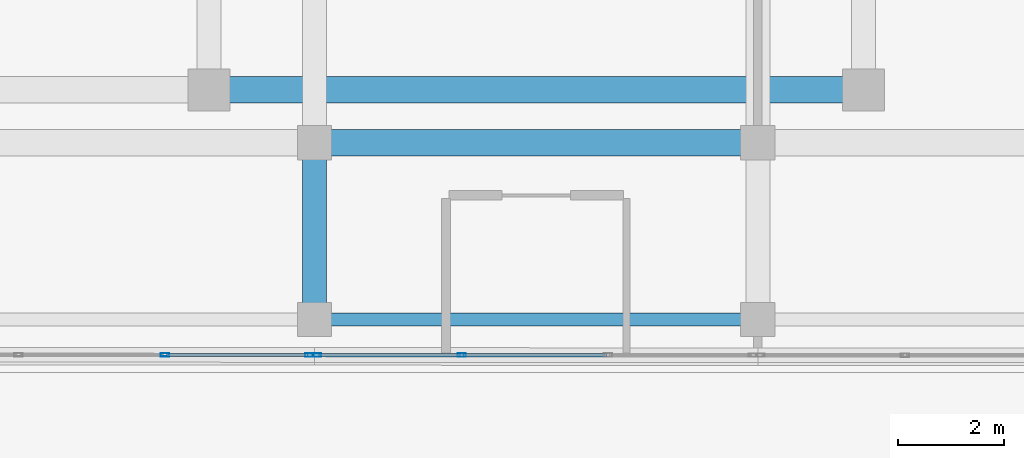
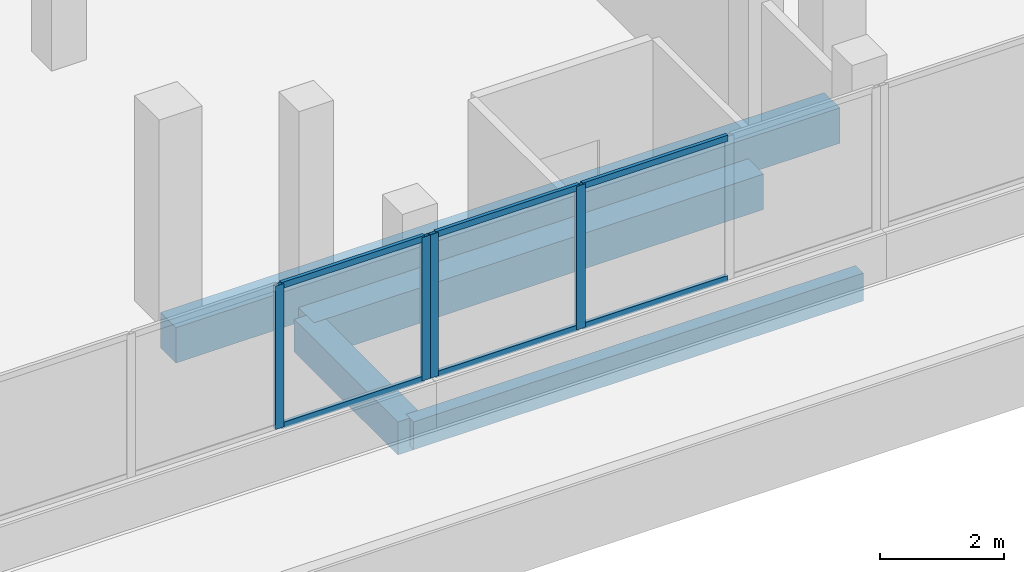
# One storey, part 11 of 78: 10 members, 4 beams, 2 elements without a shape of their own.
"""IFC4 building model written with IfcOpenShell, lengths in metres."""

from ifc_helpers import new_model, si_unit, direction, frame, origin, origin_2d, place, context, subcontext, project, spatial, rectangle, hollow_rectangle, extrude, material, material_profile, profile_set, type_object, element, aggregate, save


model = new_model("IFC4")

# Units and contexts
model_context = context("Model", 3, precision=1e-05, world=origin(), true_north=direction((0.0, 1.0)))
body_context = subcontext(model_context, "Body", "Model", "MODEL_VIEW")
ifc_project = project(units=[si_unit("LENGTHUNIT", "METRE"), si_unit("AREAUNIT", "SQUARE_METRE"), si_unit("VOLUMEUNIT", "CUBIC_METRE"), si_unit("PLANEANGLEUNIT", "RADIAN"), si_unit("MASSUNIT", "GRAM", prefix="KILO")], contexts=[model_context])

# Site, building, storey
site_placement = place(None, origin())
site = spatial("IfcSite", under=ifc_project, at=site_placement, CompositionType="ELEMENT")
building_placement = place(site_placement, origin())
building = spatial("IfcBuilding", under=site, at=building_placement, Name="Selatvlak General Hospital", CompositionType="ELEMENT")
storey_placement = place(building_placement, frame((0.0, 0.0, 23.25)))
storey = spatial("IfcBuildingStorey", under=building, at=storey_placement, Name="L05", CompositionType="ELEMENT", Elevation=23.25)

# Beams
ifc_material_1 = material(Name="Concrete C40/50", Category="concrete")
ifc_material_profile_1 = material_profile(ifc_material_1, rectangle(XDim=0.5, YDim=0.699951171875, at=origin_2d()), Name="RC-BM 500x700")
ifc_profile_set_1 = profile_set([ifc_material_profile_1], Name="Concrete C40/50")
beam_type_1 = type_object("IfcBeamType", Name="BM-G03", PredefinedType="BEAM", material=ifc_profile_set_1)
beam_1_placement = place(storey_placement, frame((73.199951171875, 92.0, -0.6298828125), z_axis=(1.0, 0.0, 0.0), x_axis=(0.0, 1.0, 0.0)))
element("IfcBeam", 1, at=beam_1_placement, inside=storey, type_object=beam_type_1, Name="Beam BMR-L05-1908", PredefinedType="BEAM", context=body_context, shape_type="SweptSolid", body=[
    extrude(rectangle(XDim=0.5, YDim=0.699951171875, at=origin_2d()), origin(), (0.0, 0.0, 1.0), 8.400146484375),
])
beam_2_placement = place(storey_placement, frame((71.199951171875, 93.0, -0.6298828125), z_axis=(1.0, 0.0, 0.0), x_axis=(0.0, 1.0, 0.0)))
element("IfcBeam", 2, at=beam_2_placement, inside=storey, type_object=beam_type_1, Name="Beam BMR-L05-1923", PredefinedType="BEAM", context=body_context, shape_type="SweptSolid", body=[
    extrude(rectangle(XDim=0.5, YDim=0.699951171875, at=origin_2d()), origin(), (0.0, 0.0, 1.0), 12.400146484375),
])
ifc_material_profile_2 = material_profile(ifc_material_1, rectangle(XDim=0.449951171875, YDim=0.64990234375, at=origin_2d()), Name="RC-BM 450x650")
ifc_profile_set_2 = profile_set([ifc_material_profile_2], Name="Concrete C40/50")
beam_type_2 = type_object("IfcBeamType", Name="BM-G04", PredefinedType="BEAM", material=ifc_profile_set_2)
beam_3_placement = place(storey_placement, frame((73.199951171875, 88.64990234375, -0.60498046875), z_axis=(0.0, 1.0, 0.0), x_axis=(-1.0, 0.0, 0.0)))
element("IfcBeam", 3, at=beam_3_placement, inside=storey, type_object=beam_type_2, Name="Beam BMR-L05-2016", PredefinedType="BEAM", context=body_context, shape_type="SweptSolid", body=[
    extrude(rectangle(XDim=0.449951171875, YDim=0.64990234375, at=origin_2d()), origin(), (0.0, 0.0, 1.0), 3.35009765625),
])
ifc_material_profile_3 = material_profile(ifc_material_1, rectangle(XDim=0.25, YDim=0.550048828125, at=origin_2d()), Name="RC-SP 250x550")
ifc_profile_set_3 = profile_set([ifc_material_profile_3], Name="Concrete C40/50")
beam_type_3 = type_object("IfcBeamType", Name="BM-SP2", PredefinedType="SPANDREL", material=ifc_profile_set_3)
beam_4_placement = place(storey_placement, frame((73.199951171875, 88.64990234375, -0.554931640625), z_axis=(1.0, 0.0, 0.0), x_axis=(0.0, 1.0, 0.0)))
element("IfcBeam", 4, at=beam_4_placement, inside=storey, type_object=beam_type_3, Name="Beam BMR-L05-1888", PredefinedType="SPANDREL", context=body_context, shape_type="SweptSolid", body=[
    extrude(rectangle(XDim=0.25, YDim=0.550048828125, at=origin_2d()), origin(), (0.0, 0.0, 1.0), 8.400146484375),
])

# Curtain wall, members
ifc_material_2 = material(Name="Solar-control Low-E double glazing", Category="glass")
curtain_wall_type_1 = type_object("IfcCurtainWallType", Name="CW-CW-01", PredefinedType="USERDEFINED", material=ifc_material_2)
curtain_wall_1_placement = place(storey_placement, origin())
curtain_wall_1 = element("IfcCurtainWall", 5, at=curtain_wall_1_placement, inside=storey, type_object=curtain_wall_type_1, Name="Glazed facade curtain wall CW-L05-0587", ObjectType="UNITISED CURTAIN WALL", PredefinedType="USERDEFINED")
ifc_material_3 = material(Name="Dark anodised aluminium mullion", Category="aluminium")
ifc_material_profile_4 = material_profile(ifc_material_3, hollow_rectangle(XDim=0.06494140625, YDim=0.159912109375, WallThickness=0.00390625, at=origin_2d()), Name="AL-MUL 65x160x4")
ifc_profile_set_4 = profile_set([ifc_material_profile_4], Name="Dark anodised aluminium mullion")
member_type_1 = type_object("IfcMemberType", Name="CWM-01", PredefinedType="MULLION", material=ifc_profile_set_4)
member_1_placement = place(storey_placement, frame((75.98828125, 87.974609375, 0.93994140625), z_axis=(0.0, 0.0, 1.0), x_axis=(-0.00048076918, -0.99999988443, 0.0)))
member_1 = element("IfcMember", 6, at=member_1_placement, type_object=member_type_1, Name="CW-01 mullion 3", PredefinedType="MULLION", context=body_context, shape_type="SweptSolid", body=[
    extrude(hollow_rectangle(XDim=0.06494140625, YDim=0.159912109375, WallThickness=0.00390625, at=origin_2d()), origin(), (0.0, 0.0, 1.0), 2.8349609375),
])
member_2_placement = place(storey_placement, frame((73.24755859375, 87.97607421875, 0.93994140625), z_axis=(0.0, 0.0, 1.0), x_axis=(-0.00048076918, -0.99999988443, 0.0)))
member_2 = element("IfcMember", 7, at=member_2_placement, type_object=member_type_1, Name="CW-01 mullion 4", PredefinedType="MULLION", context=body_context, shape_type="SweptSolid", body=[
    extrude(hollow_rectangle(XDim=0.06494140625, YDim=0.159912109375, WallThickness=0.00390625, at=origin_2d()), origin(), (0.0, 0.0, 1.0), 2.8349609375),
])

curtain_wall_type_2 = type_object("IfcCurtainWallType", Name="CW-CW-02", PredefinedType="USERDEFINED", material=ifc_material_2)
curtain_wall_2_placement = place(storey_placement, origin())
curtain_wall_2 = element("IfcCurtainWall", 8, at=curtain_wall_2_placement, inside=storey, type_object=curtain_wall_type_2, Name="Glazed facade curtain wall CW-L05-0588", ObjectType="UNITISED CURTAIN WALL", PredefinedType="USERDEFINED")
member_3_placement = place(storey_placement, frame((73.1025390625, 87.97607421875, 0.93994140625), z_axis=(0.0, 0.0, 1.0), x_axis=(-0.00048076918, -0.99999988443, 0.0)))
member_3 = element("IfcMember", 9, at=member_3_placement, type_object=member_type_1, Name="CW-02 mullion 1", PredefinedType="MULLION", context=body_context, shape_type="SweptSolid", body=[
    extrude(hollow_rectangle(XDim=0.06494140625, YDim=0.159912109375, WallThickness=0.00390625, at=origin_2d()), origin(), (0.0, 0.0, 1.0), 2.8349609375),
])
member_4_placement = place(storey_placement, frame((70.361572265625, 87.977294921875, 0.93994140625), z_axis=(0.0, 0.0, 1.0), x_axis=(-0.00048076918, -0.99999988443, 0.0)))
member_4 = element("IfcMember", 10, at=member_4_placement, type_object=member_type_1, Name="CW-02 mullion 2", PredefinedType="MULLION", context=body_context, shape_type="SweptSolid", body=[
    extrude(hollow_rectangle(XDim=0.06494140625, YDim=0.159912109375, WallThickness=0.00390625, at=origin_2d()), origin(), (0.0, 0.0, 1.0), 2.8349609375),
])

# Member
ifc_material_profile_5 = material_profile(ifc_material_3, hollow_rectangle(XDim=0.06494140625, YDim=0.1201171875, WallThickness=0.00390625, at=origin_2d()), Name="AL-TRN 65x120x4")
ifc_profile_set_5 = profile_set([ifc_material_profile_5], Name="Dark anodised aluminium mullion")
member_type_2 = type_object("IfcMemberType", Name="CWT-01", PredefinedType="USERDEFINED", material=ifc_profile_set_5)
member_5_placement = place(storey_placement, frame((78.729248046875, 87.973388671875, 0.972412109375), z_axis=(-0.999999898437, 0.000450694023, 0.0), x_axis=(-0.000450694023, -0.999999898437, 0.0)))
member_5 = element("IfcMember", 11, at=member_5_placement, type_object=member_type_2, Name="CW-01 transom 2.1", ObjectType="TRANSOM", PredefinedType="USERDEFINED", context=body_context, shape_type="SweptSolid", body=[
    extrude(hollow_rectangle(XDim=0.06494140625, YDim=0.1201171875, WallThickness=0.00390625, at=origin_2d()), origin(), (0.0, 0.0, 1.0), 2.70849609375),
])

member_6_placement = place(storey_placement, frame((78.729248046875, 87.973388671875, 3.742431640625), z_axis=(-0.999999898437, 0.000450694023, 0.0), x_axis=(-0.000450694023, -0.999999898437, 0.0)))
member_6 = element("IfcMember", 12, at=member_6_placement, type_object=member_type_2, Name="CW-01 transom 2.2", ObjectType="TRANSOM", PredefinedType="USERDEFINED", context=body_context, shape_type="SweptSolid", body=[
    extrude(hollow_rectangle(XDim=0.06494140625, YDim=0.1201171875, WallThickness=0.00390625, at=origin_2d()), origin(), (0.0, 0.0, 1.0), 2.70849609375),
])

member_7_placement = place(storey_placement, frame((75.955810546875, 87.974609375, 0.972412109375), z_axis=(-0.999999850152, 0.000547445173, 0.0), x_axis=(-0.000547445173, -0.999999850152, 0.0)))
member_7 = element("IfcMember", 13, at=member_7_placement, type_object=member_type_2, Name="CW-01 transom 3.1", ObjectType="TRANSOM", PredefinedType="USERDEFINED", context=body_context, shape_type="SweptSolid", body=[
    extrude(hollow_rectangle(XDim=0.06494140625, YDim=0.1201171875, WallThickness=0.00390625, at=origin_2d()), origin(), (0.0, 0.0, 1.0), 2.67578125),
])

member_8_placement = place(storey_placement, frame((75.955810546875, 87.974609375, 3.742431640625), z_axis=(-0.999999850152, 0.000547445173, 0.0), x_axis=(-0.000547445173, -0.999999850152, 0.0)))
member_8 = element("IfcMember", 14, at=member_8_placement, type_object=member_type_2, Name="CW-01 transom 3.2", ObjectType="TRANSOM", PredefinedType="USERDEFINED", context=body_context, shape_type="SweptSolid", body=[
    extrude(hollow_rectangle(XDim=0.06494140625, YDim=0.1201171875, WallThickness=0.00390625, at=origin_2d()), origin(), (0.0, 0.0, 1.0), 2.67578125),
])

aggregate(curtain_wall_1, [member_1, member_2, member_5, member_6, member_7, member_8])

member_9_placement = place(storey_placement, frame((73.070068359375, 87.97607421875, 0.972412109375), z_axis=(-0.999999895939, 0.000456204332, 0.0), x_axis=(-0.000456204332, -0.999999895939, 0.0)))
member_9 = element("IfcMember", 15, at=member_9_placement, type_object=member_type_2, Name="CW-02 transom 1.1", ObjectType="TRANSOM", PredefinedType="USERDEFINED", context=body_context, shape_type="SweptSolid", body=[
    extrude(hollow_rectangle(XDim=0.06494140625, YDim=0.1201171875, WallThickness=0.00390625, at=origin_2d()), origin(), (0.0, 0.0, 1.0), 2.67578125),
])

member_10_placement = place(storey_placement, frame((73.070068359375, 87.97607421875, 3.742431640625), z_axis=(-0.999999895939, 0.000456204332, 0.0), x_axis=(-0.000456204332, -0.999999895939, 0.0)))
member_10 = element("IfcMember", 16, at=member_10_placement, type_object=member_type_2, Name="CW-02 transom 1.2", ObjectType="TRANSOM", PredefinedType="USERDEFINED", context=body_context, shape_type="SweptSolid", body=[
    extrude(hollow_rectangle(XDim=0.06494140625, YDim=0.1201171875, WallThickness=0.00390625, at=origin_2d()), origin(), (0.0, 0.0, 1.0), 2.67578125),
])

aggregate(curtain_wall_2, [member_3, member_4, member_9, member_10])

save(model, "model.ifc")
